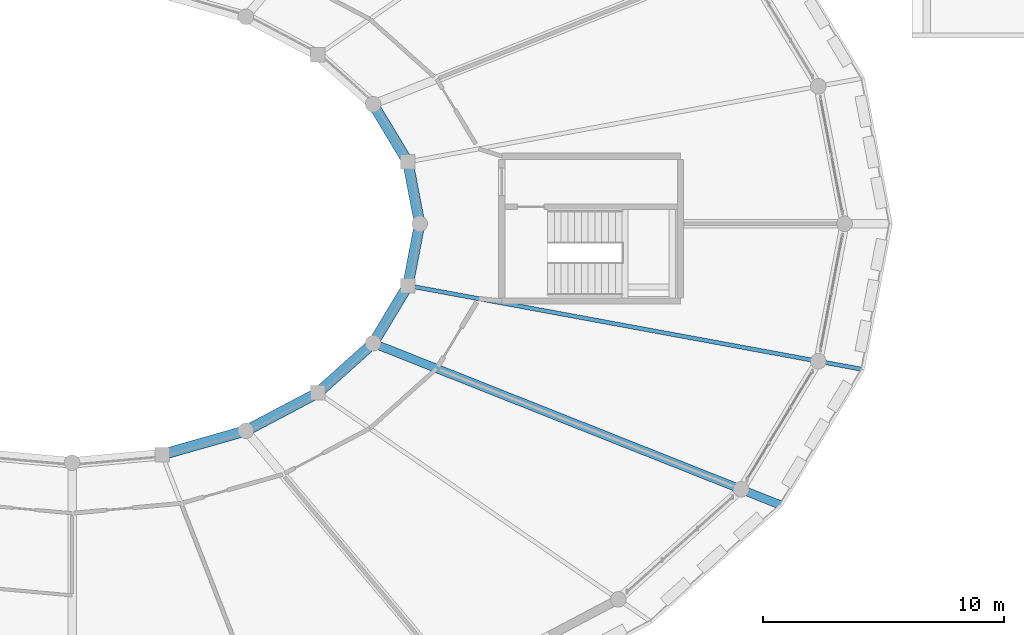
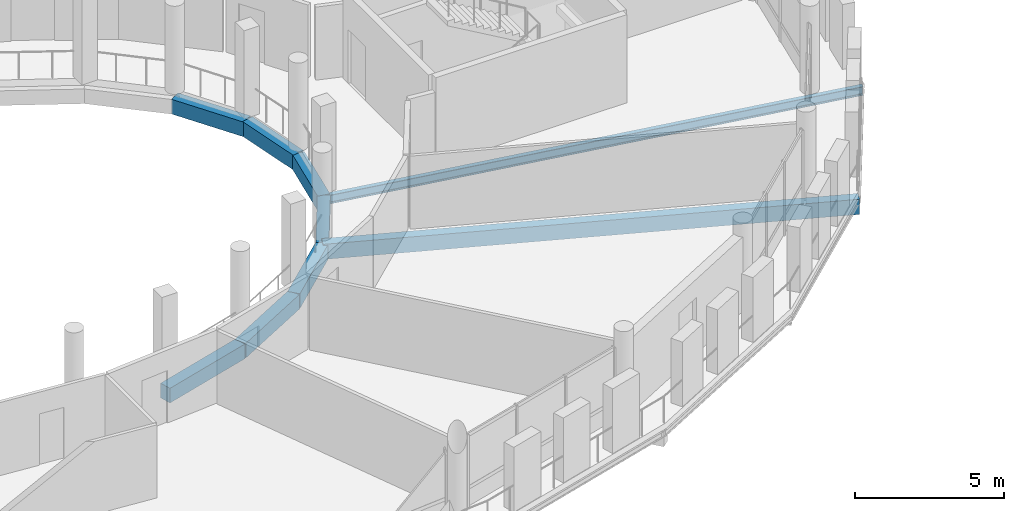
# One storey, part 32 of 93: 9 beams.
"""IFC4 building model written with IfcOpenShell, lengths in metres."""

from ifc_helpers import new_model, si_unit, direction, frame, origin, origin_2d, place, context, subcontext, project, spatial, rectangle, i_section, extrude, material, material_profile, profile_set, type_object, element, save


model = new_model("IFC4")

# Units and contexts
model_context = context("Model", 3, precision=1e-05, world=origin(), true_north=direction((0.0, 1.0)))
body_context = subcontext(model_context, "Body", "Model", "MODEL_VIEW")
ifc_project = project(units=[si_unit("LENGTHUNIT", "METRE"), si_unit("AREAUNIT", "SQUARE_METRE"), si_unit("VOLUMEUNIT", "CUBIC_METRE"), si_unit("PLANEANGLEUNIT", "RADIAN"), si_unit("MASSUNIT", "GRAM", prefix="KILO")], contexts=[model_context])

# Site, building, storey
site_placement = place(None, origin())
site = spatial("IfcSite", under=ifc_project, at=site_placement, CompositionType="ELEMENT")
building_placement = place(site_placement, origin())
building = spatial("IfcBuilding", under=site, at=building_placement, Name="Zornivar Specialist Clinic", CompositionType="ELEMENT")
storey_placement = place(building_placement, frame((0.0, 0.0, 8.39990234375)))
storey = spatial("IfcBuildingStorey", under=building, at=storey_placement, Name="L02", CompositionType="ELEMENT", Elevation=8.39990234375)

# Beams
ifc_material_1 = material(Name="Concrete C30/37", Category="concrete")
ifc_material_profile_1 = material_profile(ifc_material_1, rectangle(XDim=0.43994140625, YDim=0.60009765625, at=origin_2d()), Name="RC 440x600")
ifc_profile_set_1 = profile_set([ifc_material_profile_1], Name="Concrete C30/37")
beam_type_1 = type_object("IfcBeamType", Name="BM-RC-440x600", PredefinedType="BEAM", material=ifc_profile_set_1)
beam_1_placement = place(storey_placement, frame((108.0, 57.60009765625, -0.58984375), z_axis=(-0.188208648203, 0.982129067252, 0.0), x_axis=(-0.982129067252, -0.188208648203, 0.0)))
element("IfcBeam", 1, at=beam_1_placement, inside=storey, type_object=beam_type_1, Name="bm:V1:L02:inring:00", PredefinedType="BEAM", context=body_context, shape_type="SweptSolid", body=[
    extrude(rectangle(XDim=0.43994140625, YDim=0.60009765625, at=origin_2d()), origin(), (0.0, 0.0, 1.0), 2.608642578125),
])
beam_2_placement = place(storey_placement, frame((107.509033203125, 60.162109375, -0.58984375), z_axis=(-0.515873260277, 0.856664916599, 0.0), x_axis=(-0.856664916599, -0.515873260277, 0.0)))
element("IfcBeam", 2, at=beam_2_placement, inside=storey, type_object=beam_type_1, Name="bm:V1:L02:inring:01", PredefinedType="BEAM", context=body_context, shape_type="SweptSolid", body=[
    extrude(rectangle(XDim=0.43994140625, YDim=0.60009765625, at=origin_2d()), origin(), (0.0, 0.0, 1.0), 2.78759765625),
])
beam_3_placement = place(storey_placement, frame((97.326904296875, 48.037109375, -0.58984375), z_axis=(0.961783741221, 0.273810217345, 0.0), x_axis=(-0.273810217345, 0.961783741221, 0.0)))
element("IfcBeam", 3, at=beam_3_placement, inside=storey, type_object=beam_type_1, Name="bm:V1:L02:inring:19", PredefinedType="BEAM", context=body_context, shape_type="SweptSolid", body=[
    extrude(rectangle(XDim=0.43994140625, YDim=0.60009765625, at=origin_2d()), origin(), (0.0, 0.0, 1.0), 3.611083984375),
])
beam_4_placement = place(storey_placement, frame((100.800048828125, 49.02587890625, -0.58984375), z_axis=(0.884333274309, 0.466856144813, 0.0), x_axis=(-0.466856144813, 0.884333274309, 0.0)))
element("IfcBeam", 4, at=beam_4_placement, inside=storey, type_object=beam_type_1, Name="bm:V1:L02:inring:20", PredefinedType="BEAM", context=body_context, shape_type="SweptSolid", body=[
    extrude(rectangle(XDim=0.43994140625, YDim=0.60009765625, at=origin_2d()), origin(), (0.0, 0.0, 1.0), 3.3720703125),
])
beam_5_placement = place(storey_placement, frame((103.781982421875, 50.60009765625, -0.58984375), z_axis=(0.744966948512, 0.667101375822, 0.0), x_axis=(-0.667101375822, 0.744966948512, 0.0)))
element("IfcBeam", 5, at=beam_5_placement, inside=storey, type_object=beam_type_1, Name="bm:V1:L02:inring:21", PredefinedType="BEAM", context=body_context, shape_type="SweptSolid", body=[
    extrude(rectangle(XDim=0.43994140625, YDim=0.60009765625, at=origin_2d()), origin(), (0.0, 0.0, 1.0), 3.07275390625),
])
beam_6_placement = place(storey_placement, frame((106.071044921875, 52.64990234375, -0.58984375), z_axis=(0.515834556349, 0.856688222445, 0.0), x_axis=(-0.856688222445, 0.515834556349, 0.0)))
element("IfcBeam", 6, at=beam_6_placement, inside=storey, type_object=beam_type_1, Name="bm:V1:L02:inring:22", PredefinedType="BEAM", context=body_context, shape_type="SweptSolid", body=[
    extrude(rectangle(XDim=0.43994140625, YDim=0.60009765625, at=origin_2d()), origin(), (0.0, 0.0, 1.0), 2.78759765625),
])
beam_7_placement = place(storey_placement, frame((107.509033203125, 55.0380859375, -0.58984375), z_axis=(0.188208648203, 0.982129067252, 0.0), x_axis=(-0.982129067252, 0.188208648203, 0.0)))
element("IfcBeam", 7, at=beam_7_placement, inside=storey, type_object=beam_type_1, Name="bm:V1:L02:inring:23", PredefinedType="BEAM", context=body_context, shape_type="SweptSolid", body=[
    extrude(rectangle(XDim=0.43994140625, YDim=0.60009765625, at=origin_2d()), origin(), (0.0, 0.0, 1.0), 2.608642578125),
])
ifc_material_2 = material(Name="Concrete C30/37", Category="concrete")
ifc_material_profile_2 = material_profile(ifc_material_2, rectangle(XDim=0.35009765625, YDim=0.6201171875, at=origin_2d()), Name="RC 350x620")
ifc_profile_set_2 = profile_set([ifc_material_profile_2], Name="Concrete C30/37")
beam_type_2 = type_object("IfcBeamType", Name="BM-RC-CANT-350x620", PredefinedType="BEAM", material=ifc_profile_set_2)
beam_8_placement = place(storey_placement, frame((106.071044921875, 52.64990234375, -0.5498046875), z_axis=(0.92946024729, -0.368922280036, 0.0), x_axis=(0.368922280036, 0.92946024729, 0.0)))
element("IfcBeam", 8, at=beam_8_placement, inside=storey, type_object=beam_type_2, Name="bm:V1:L02:radcant:22", PredefinedType="BEAM", context=body_context, shape_type="SweptSolid", body=[
    extrude(rectangle(XDim=0.35009765625, YDim=0.6201171875, at=origin_2d()), origin(), (0.0, 0.0, 1.0), 18.18798828125),
])
ifc_material_3 = material(Name="Steel S355J2", Category="steel")
ifc_material_profile_3 = material_profile(ifc_material_3, i_section(OverallWidth=0.169921875, OverallDepth=0.360107421875, WebThickness=0.008056640625, FlangeThickness=0.0126953125, FilletRadius=0.01806640625, at=origin_2d()), Name="IPE 360")
ifc_profile_set_3 = profile_set([ifc_material_profile_3], Name="Steel S355J2")
beam_type_3 = type_object("IfcBeamType", Name="BM-STL-IPE360", PredefinedType="BEAM", material=ifc_profile_set_3)
beam_9_placement = place(storey_placement, frame((107.509033203125, 55.0380859375, -0.469970703125), z_axis=(0.983445426184, -0.181204563183, 0.0), x_axis=(0.181204563183, 0.983445426184, 0.0)))
element("IfcBeam", 9, at=beam_9_placement, inside=storey, type_object=beam_type_3, Name="bm:V1:L02:radmid:23", PredefinedType="BEAM", context=body_context, shape_type="SweptSolid", body=[
    extrude(i_section(OverallWidth=0.169921875, OverallDepth=0.360107421875, WebThickness=0.008056640625, FlangeThickness=0.0126953125, FilletRadius=0.01806640625, at=origin_2d()), origin(), (0.0, 0.0, 1.0), 19.17236328125),
])

save(model, "model.ifc")
